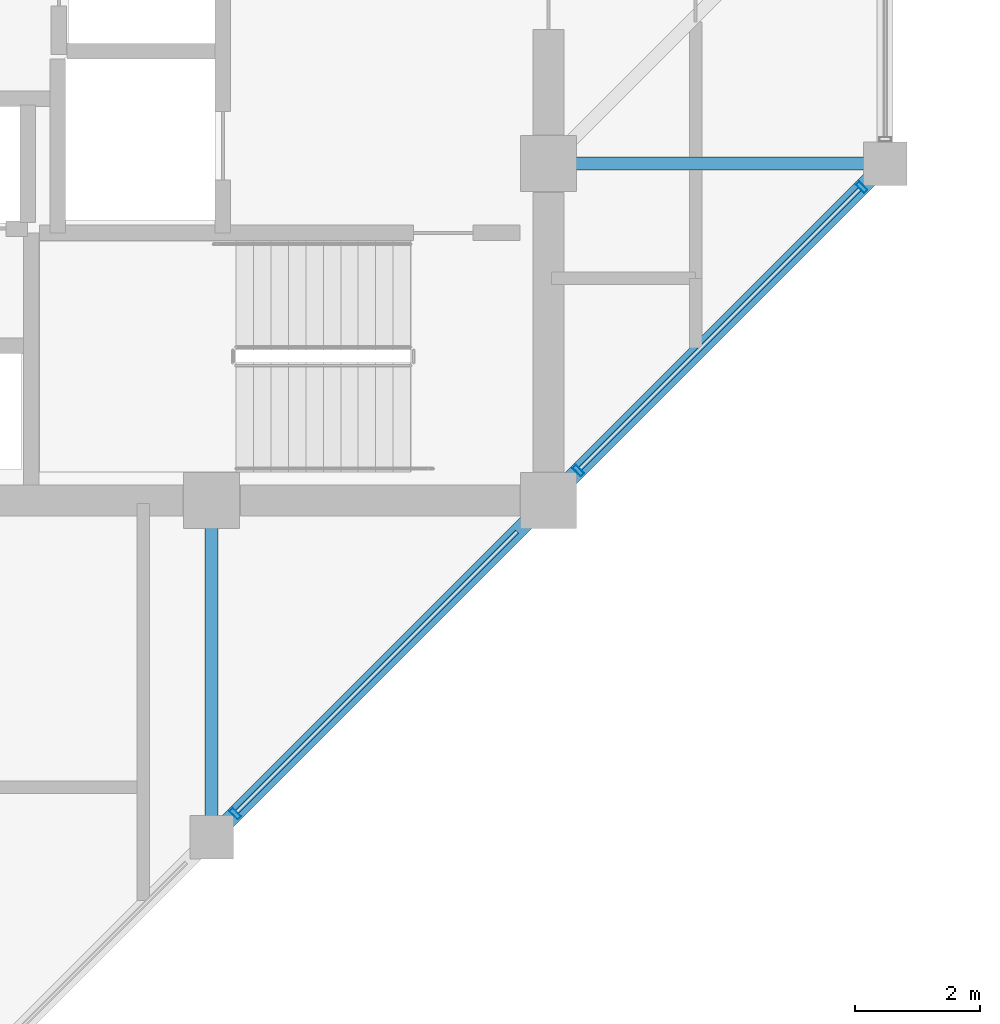
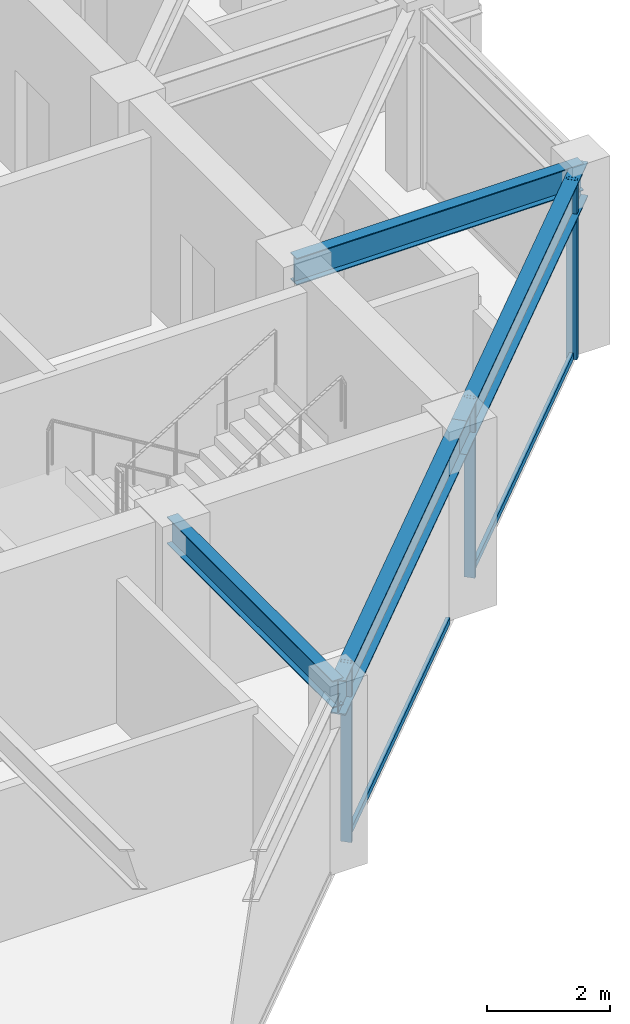
# One storey, part 10 of 29: 5 members, 4 beams, 1 element without a shape of its own.
"""IFC4 building model written with IfcOpenShell, lengths in metres."""

from ifc_helpers import new_model, si_unit, direction, frame, origin, origin_2d, place, context, subcontext, project, spatial, hollow_rectangle, i_section, extrude, material, layer, layer_set, material_profile, profile_set, type_object, element, aggregate, save


model = new_model("IFC4")

# Units and contexts
model_context = context("Model", 3, precision=1e-05, world=origin(), true_north=direction((0.0, 1.0)))
body_context = subcontext(model_context, "Body", "Model", "MODEL_VIEW")
ifc_project = project(units=[si_unit("LENGTHUNIT", "METRE"), si_unit("AREAUNIT", "SQUARE_METRE"), si_unit("VOLUMEUNIT", "CUBIC_METRE"), si_unit("PLANEANGLEUNIT", "RADIAN"), si_unit("MASSUNIT", "GRAM", prefix="KILO")], contexts=[model_context])

# Site, building, storey
site_placement = place(None, origin())
site = spatial("IfcSite", under=ifc_project, at=site_placement, CompositionType="ELEMENT")
building_placement = place(site_placement, origin())
building = spatial("IfcBuilding", under=site, at=building_placement, Name="Surkhivell Harbour Commons", CompositionType="ELEMENT")
storey_placement = place(building_placement, frame((0.0, 0.0, 273.75)))
storey = spatial("IfcBuildingStorey", under=building, at=storey_placement, Name="L71", CompositionType="ELEMENT", Elevation=273.75)

# Beams
ifc_material_1 = material(Name="Steel S355", Category="steel")
ifc_material_profile_1 = material_profile(ifc_material_1, i_section(OverallWidth=0.2099609375, OverallDepth=0.537109375, WebThickness=0.0107421875, FlangeThickness=0.017333984375, at=origin_2d()), Name="UB533x210x101")
ifc_profile_set_1 = profile_set([ifc_material_profile_1], Name="Steel S355")
beam_type_1 = type_object("IfcBeamType", Name="BM-GRD-533B", PredefinedType="BEAM", material=ifc_profile_set_1)
for number, where, z_axis, x_axis, name in (
    (1, (5.39990234375, -16.199951171875, 3.301513671875), (0.0, 1.0, 0.0), (-1.0, 0.0, 0.0), "L71 Floor Girder (5.4,-16.2)"),
    (2, (10.800048828125, -5.39990234375, 3.301513671875), (1.0, 0.0, 0.0), (0.0, 1.0, 0.0), "L71 Floor Girder (10.8,-5.4)"),
):
    element("IfcBeam", number, at=place(storey_placement, frame(where, z_axis=z_axis, x_axis=x_axis)), inside=storey, type_object=beam_type_1, Name=name, PredefinedType="BEAM", context=body_context, shape_type="SweptSolid", body=[
        extrude(i_section(OverallWidth=0.2099609375, OverallDepth=0.537109375, WebThickness=0.0107421875, FlangeThickness=0.017333984375, at=origin_2d()), origin(), (0.0, 0.0, 1.0), 5.39990234375),
    ])
ifc_material_profile_2 = material_profile(ifc_material_1, i_section(OverallWidth=0.256103515625, OverallDepth=0.693115234375, WebThickness=0.014404296875, FlangeThickness=0.023681640625, at=origin_2d()), Name="UB686x254x170")
ifc_profile_set_2 = profile_set([ifc_material_profile_2], Name="Steel S355")
beam_type_2 = type_object("IfcBeamType", Name="BM-SPN-686", PredefinedType="SPANDREL", material=ifc_profile_set_2)
for number, where, z_axis, x_axis, name in (
    (3, (5.39990234375, -16.199951171875, 3.223388671875), (0.707122765516, 0.707090796496, 0.0), (-0.707090796496, 0.707122765516, 0.0), "L71 Tube Spandrel (5.4,-16.2)"),
    (4, (10.800048828125, -10.800048828125, 3.223388671875), (0.707090796496, 0.707122765516, 0.0), (-0.707122765516, 0.707090796496, 0.0), "L71 Tube Spandrel (10.8,-10.8)"),
):
    element("IfcBeam", number, at=place(storey_placement, frame(where, z_axis=z_axis, x_axis=x_axis)), inside=storey, type_object=beam_type_2, Name=name, PredefinedType="SPANDREL", context=body_context, shape_type="SweptSolid", body=[
        extrude(i_section(OverallWidth=0.256103515625, OverallDepth=0.693115234375, WebThickness=0.014404296875, FlangeThickness=0.023681640625, at=origin_2d()), origin(), (0.0, 0.0, 1.0), 7.63671875),
    ])

# Curtain wall, members
ifc_material_2 = material(Name="Anodised pale-metal aluminium and insulated glazing", Category="aluminium")
ifc_layer = layer(ifc_material_2, 0.175048828125)
ifc_layer_set = layer_set([ifc_layer], Name="Anodised pale-metal aluminium and insulated glazing")
curtain_wall_type = type_object("IfcCurtainWallType", Name="CW-SYS-Z4", PredefinedType="NOTDEFINED", material=ifc_layer_set)
curtain_wall_placement = place(storey_placement, origin())
curtain_wall = element("IfcCurtainWall", 5, at=curtain_wall_placement, inside=storey, type_object=curtain_wall_type, Name="L71 Curtain Wall CW-L71-E01", PredefinedType="NOTDEFINED")
ifc_material_3 = material(Name="Anodised pale-metal aluminium alloy 6063-T6", Category="aluminium")
ifc_material_profile_3 = material_profile(ifc_material_3, hollow_rectangle(XDim=0.074951171875, YDim=0.18994140625, WallThickness=0.00390625, at=origin_2d()), Name="ALU-MULL-75x190")
ifc_profile_set_3 = profile_set([ifc_material_profile_3], Name="Anodised pale-metal aluminium alloy 6063-T6")
member_type_1 = type_object("IfcMemberType", Name="CWM-190", PredefinedType="MULLION", material=ifc_profile_set_3)
member_1_placement = place(storey_placement, frame((5.778076171875, -15.82177734375, 0.0), z_axis=(0.0, 0.0, 1.0), x_axis=(0.707106781187, 0.707106781187, 0.0)))
member_1 = element("IfcMember", 6, at=member_1_placement, type_object=member_type_1, Name="CW-Z4 mullion 2", PredefinedType="MULLION", context=body_context, shape_type="SweptSolid", body=[
    extrude(hollow_rectangle(XDim=0.074951171875, YDim=0.18994140625, WallThickness=0.00390625, at=origin_2d()), origin(), (0.0, 0.0, 1.0), 3.570068359375),
])
member_2_placement = place(storey_placement, frame((11.278076171875, -10.32177734375, 0.0), z_axis=(0.0, 0.0, 1.0), x_axis=(0.707106781187, 0.707106781187, 0.0)))
member_2 = element("IfcMember", 7, at=member_2_placement, type_object=member_type_1, Name="CW-Z4 mullion 3", PredefinedType="MULLION", context=body_context, shape_type="SweptSolid", body=[
    extrude(hollow_rectangle(XDim=0.074951171875, YDim=0.18994140625, WallThickness=0.00390625, at=origin_2d()), origin(), (0.0, 0.0, 1.0), 3.570068359375),
])
member_3_placement = place(storey_placement, frame((15.82177734375, -5.778076171875, 0.0), z_axis=(0.0, 0.0, 1.0), x_axis=(0.707106781187, 0.707106781187, 0.0)))
member_3 = element("IfcMember", 8, at=member_3_placement, type_object=member_type_1, Name="CW-Z4 mullion 4", PredefinedType="MULLION", context=body_context, shape_type="SweptSolid", body=[
    extrude(hollow_rectangle(XDim=0.074951171875, YDim=0.18994140625, WallThickness=0.00390625, at=origin_2d()), origin(), (0.0, 0.0, 1.0), 3.570068359375),
])
ifc_material_4 = material(Name="Champagne anodised aluminium alloy 6063-T6", Category="aluminium")
ifc_material_profile_4 = material_profile(ifc_material_4, hollow_rectangle(XDim=0.070068359375, YDim=0.1298828125, WallThickness=0.00341796875, at=origin_2d()), Name="ALU-TRAN-70x130")
ifc_profile_set_4 = profile_set([ifc_material_profile_4], Name="Champagne anodised aluminium alloy 6063-T6")
member_type_2 = type_object("IfcMemberType", Name="CWT-130", PredefinedType="USERDEFINED", material=ifc_profile_set_4)
member_4_placement = place(storey_placement, frame((5.8046875, -15.79541015625, 0.06494140625), z_axis=(0.707106781187, 0.707106781187, 0.0), x_axis=(-0.707106781187, 0.707106781187, 0.0)))
member_4 = element("IfcMember", 9, at=member_4_placement, type_object=member_type_2, Name="CW-Z4 transom 2.1", ObjectType="TRANSOM", PredefinedType="USERDEFINED", context=body_context, shape_type="SweptSolid", body=[
    extrude(hollow_rectangle(XDim=0.070068359375, YDim=0.1298828125, WallThickness=0.00341796875, at=origin_2d()), origin(), (0.0, 0.0, 1.0), 6.350830078125),
])
member_5_placement = place(storey_placement, frame((11.3046875, -10.29541015625, 0.06494140625), z_axis=(0.707106781187, 0.707106781187, 0.0), x_axis=(-0.707106781187, 0.707106781187, 0.0)))
member_5 = element("IfcMember", 10, at=member_5_placement, type_object=member_type_2, Name="CW-Z4 transom 3.1", ObjectType="TRANSOM", PredefinedType="USERDEFINED", context=body_context, shape_type="SweptSolid", body=[
    extrude(hollow_rectangle(XDim=0.070068359375, YDim=0.1298828125, WallThickness=0.00341796875, at=origin_2d()), origin(), (0.0, 0.0, 1.0), 6.350830078125),
])
aggregate(curtain_wall, [member_1, member_4, member_2, member_3, member_5])

save(model, "model.ifc")
